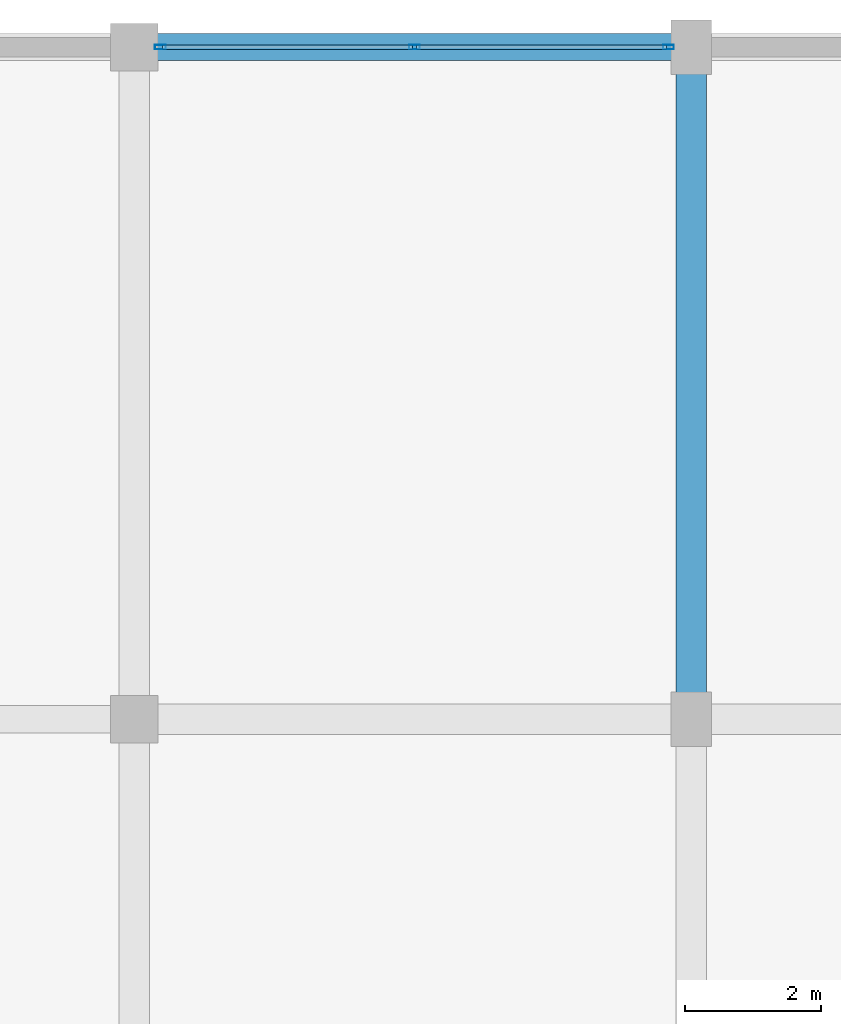
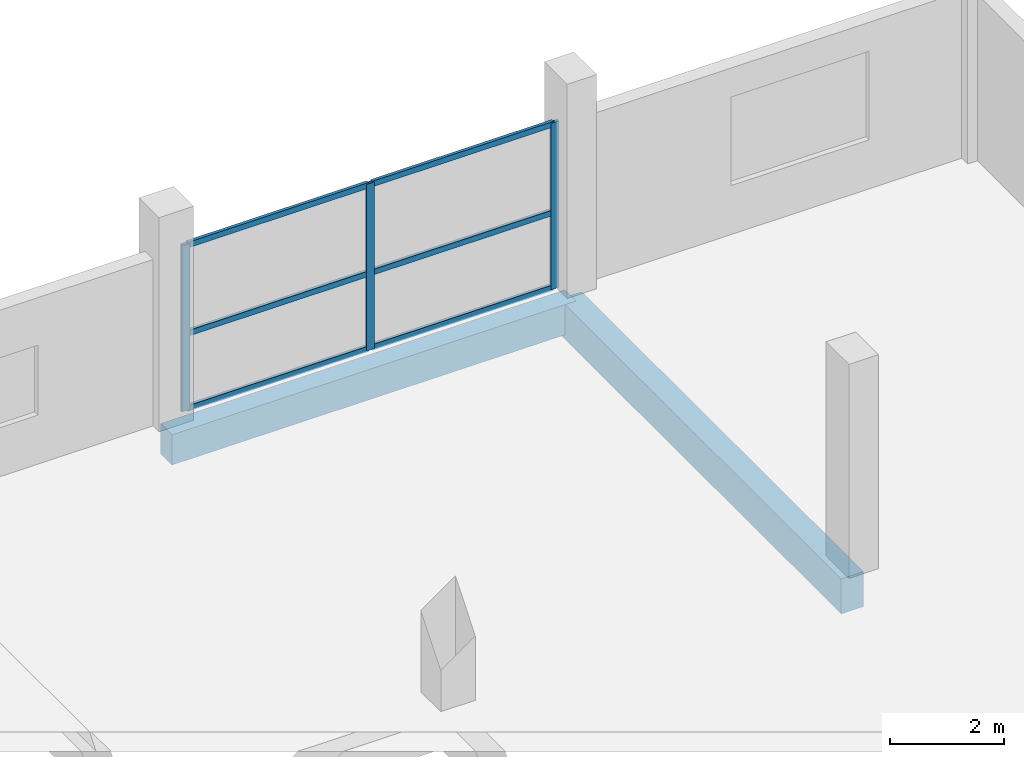
# One storey, part 35 of 58: 9 members, 2 beams, 1 element without a shape of its own.
"""IFC4 building model written with IfcOpenShell, lengths in metres."""

from ifc_helpers import new_model, si_unit, direction, frame, origin, origin_2d, place, context, subcontext, project, spatial, rectangle, hollow_rectangle, extrude, material, layer, layer_set, material_profile, profile_set, type_object, element, aggregate, save


model = new_model("IFC4")

# Units and contexts
model_context = context("Model", 3, precision=1e-05, world=origin(), true_north=direction((0.0, 1.0)))
body_context = subcontext(model_context, "Body", "Model", "MODEL_VIEW")
ifc_project = project(units=[si_unit("LENGTHUNIT", "METRE"), si_unit("AREAUNIT", "SQUARE_METRE"), si_unit("VOLUMEUNIT", "CUBIC_METRE"), si_unit("PLANEANGLEUNIT", "RADIAN"), si_unit("MASSUNIT", "GRAM", prefix="KILO")], contexts=[model_context])

# Site, building, storey
site_placement = place(None, origin())
site = spatial("IfcSite", under=ifc_project, at=site_placement, CompositionType="ELEMENT")
building_placement = place(site_placement, origin())
building = spatial("IfcBuilding", under=site, at=building_placement, Name="Sillaruma Civic Art Gallery", CompositionType="ELEMENT")
storey_placement = place(building_placement, frame((0.0, 0.0, 28.56005859375)))
storey = spatial("IfcBuildingStorey", under=building, at=storey_placement, Name="L05", CompositionType="ELEMENT", Elevation=28.56005859375)

# Beams
ifc_material_1 = material(Name="Concrete H40 (40 MPa)", Category="concrete")
ifc_material_profile_1 = material_profile(ifc_material_1, rectangle(XDim=0.449951171875, YDim=0.75, at=origin_2d()), Name="RCB450x750")
ifc_profile_set_1 = profile_set([ifc_material_profile_1], Name="Concrete H40 (40 MPa)")
beam_type_1 = type_object("IfcBeamType", Name="BM-BEAM-RCB450x750", PredefinedType="BEAM", material=ifc_profile_set_1)
beam_1_placement = place(storey_placement, frame((106.199951171875, 89.10009765625, -0.655029296875), z_axis=(0.0, 1.0, 0.0), x_axis=(-1.0, 0.0, 0.0)))
element("IfcBeam", 1, at=beam_1_placement, inside=storey, type_object=beam_type_1, Name="Beam BM-03 (L04:M:10-11)", PredefinedType="BEAM", context=body_context, shape_type="SweptSolid", body=[
    extrude(rectangle(XDim=0.449951171875, YDim=0.75, at=origin_2d()), origin(), (0.0, 0.0, 1.0), 9.89990234375),
])
ifc_material_2 = material(Name="Concrete H35 (35 MPa)", Category="concrete")
ifc_material_profile_2 = material_profile(ifc_material_2, rectangle(XDim=0.39990234375, YDim=0.64990234375, at=origin_2d()), Name="RCB400x650")
ifc_profile_set_2 = profile_set([ifc_material_profile_2], Name="Concrete H35 (35 MPa)")
beam_type_2 = type_object("IfcBeamType", Name="BM-SPANDREL-RCB400x650", PredefinedType="SPANDREL", material=ifc_profile_set_2)
beam_2_placement = place(storey_placement, frame((98.0, 99.0, -0.60498046875), z_axis=(1.0, 0.0, 0.0), x_axis=(0.0, 1.0, 0.0)))
element("IfcBeam", 2, at=beam_2_placement, inside=storey, type_object=beam_type_2, Name="Beam BS-02 (L04:11:L-M)", PredefinedType="SPANDREL", context=body_context, shape_type="SweptSolid", body=[
    extrude(rectangle(XDim=0.39990234375, YDim=0.64990234375, at=origin_2d()), origin(), (0.0, 0.0, 1.0), 8.199951171875),
])

# Curtain wall, members
ifc_material_3 = material(Name="Thermally Broken Extruded Aluminium 6063-T6", Category="aluminium")
ifc_layer = layer(ifc_material_3, 0.159912109375, Name="Thermally Broken Extruded Aluminium 6063-T6")
ifc_layer_set = layer_set([ifc_layer], Name="Thermally Broken Extruded Aluminium 6063-T6")
curtain_wall_type = type_object("IfcCurtainWallType", Name="CW-UNI-38", PredefinedType="NOTDEFINED", material=ifc_layer_set)
curtain_wall_placement = place(storey_placement, origin())
curtain_wall = element("IfcCurtainWall", 3, at=curtain_wall_placement, inside=storey, type_object=curtain_wall_type, Name="Unitised Curtain Wall CW-38 (CW-L05-N-6)", PredefinedType="NOTDEFINED")
ifc_material_profile_3 = material_profile(ifc_material_3, hollow_rectangle(XDim=0.06494140625, YDim=0.159912109375, WallThickness=0.00390625, at=origin_2d()), Name="CWM65x160")
ifc_profile_set_3 = profile_set([ifc_material_profile_3], Name="Thermally Broken Extruded Aluminium 6063-T6")
member_type_1 = type_object("IfcMemberType", Name="MEM-MUL-CWM65x160", PredefinedType="MULLION", material=ifc_profile_set_3)
member_1_placement = place(storey_placement, frame((98.382568359375, 99.0, 0.0), z_axis=(0.0, 0.0, 1.0), x_axis=(0.0, 1.0, 0.0)))
member_1 = element("IfcMember", 4, at=member_1_placement, type_object=member_type_1, Name="CW-38 mullion 1", PredefinedType="MULLION", context=body_context, shape_type="SweptSolid", body=[
    extrude(hollow_rectangle(XDim=0.06494140625, YDim=0.159912109375, WallThickness=0.00390625, at=origin_2d()), origin(), (0.0, 0.0, 1.0), 3.56982421875),
])
member_2_placement = place(storey_placement, frame((102.125, 99.0, 0.0), z_axis=(0.0, 0.0, 1.0), x_axis=(0.0, 1.0, 0.0)))
member_2 = element("IfcMember", 5, at=member_2_placement, type_object=member_type_1, Name="CW-38 mullion 2", PredefinedType="MULLION", context=body_context, shape_type="SweptSolid", body=[
    extrude(hollow_rectangle(XDim=0.06494140625, YDim=0.159912109375, WallThickness=0.00390625, at=origin_2d()), origin(), (0.0, 0.0, 1.0), 3.56982421875),
])
member_3_placement = place(storey_placement, frame((105.867431640625, 99.0, 0.0), z_axis=(0.0, 0.0, 1.0), x_axis=(0.0, 1.0, 0.0)))
member_3 = element("IfcMember", 6, at=member_3_placement, type_object=member_type_1, Name="CW-38 mullion 3", PredefinedType="MULLION", context=body_context, shape_type="SweptSolid", body=[
    extrude(hollow_rectangle(XDim=0.06494140625, YDim=0.159912109375, WallThickness=0.00390625, at=origin_2d()), origin(), (0.0, 0.0, 1.0), 3.56982421875),
])
ifc_material_profile_4 = material_profile(ifc_material_3, hollow_rectangle(XDim=0.06494140625, YDim=0.1201171875, WallThickness=0.00341796875, at=origin_2d()), Name="CWT65x120")
ifc_profile_set_4 = profile_set([ifc_material_profile_4], Name="Thermally Broken Extruded Aluminium 6063-T6")
member_type_2 = type_object("IfcMemberType", Name="MEM-TRN-CWT65x120", PredefinedType="USERDEFINED", material=ifc_profile_set_4)
member_4_placement = place(storey_placement, frame((98.4150390625, 99.0, 0.032470703125), z_axis=(1.0, 0.0, 0.0), x_axis=(0.0, 1.0, 0.0)))
member_4 = element("IfcMember", 7, at=member_4_placement, type_object=member_type_2, Name="CW-38 transom 1.1", ObjectType="TRANSOM", PredefinedType="USERDEFINED", context=body_context, shape_type="SweptSolid", body=[
    extrude(hollow_rectangle(XDim=0.06494140625, YDim=0.1201171875, WallThickness=0.00341796875, at=origin_2d()), origin(), (0.0, 0.0, 1.0), 3.677490234375),
])
member_5_placement = place(storey_placement, frame((98.4150390625, 99.0, 1.64208984375), z_axis=(1.0, 0.0, 0.0), x_axis=(0.0, 1.0, 0.0)))
member_5 = element("IfcMember", 8, at=member_5_placement, type_object=member_type_2, Name="CW-38 transom 1.2", ObjectType="TRANSOM", PredefinedType="USERDEFINED", context=body_context, shape_type="SweptSolid", body=[
    extrude(hollow_rectangle(XDim=0.06494140625, YDim=0.1201171875, WallThickness=0.00341796875, at=origin_2d()), origin(), (0.0, 0.0, 1.0), 3.677490234375),
])
member_6_placement = place(storey_placement, frame((98.4150390625, 99.0, 3.537353515625), z_axis=(1.0, 0.0, 0.0), x_axis=(0.0, 1.0, 0.0)))
member_6 = element("IfcMember", 9, at=member_6_placement, type_object=member_type_2, Name="CW-38 transom 1.3", ObjectType="TRANSOM", PredefinedType="USERDEFINED", context=body_context, shape_type="SweptSolid", body=[
    extrude(hollow_rectangle(XDim=0.06494140625, YDim=0.1201171875, WallThickness=0.00341796875, at=origin_2d()), origin(), (0.0, 0.0, 1.0), 3.677490234375),
])
member_7_placement = place(storey_placement, frame((102.157470703125, 99.0, 0.032470703125), z_axis=(1.0, 0.0, 0.0), x_axis=(0.0, 1.0, 0.0)))
member_7 = element("IfcMember", 10, at=member_7_placement, type_object=member_type_2, Name="CW-38 transom 2.1", ObjectType="TRANSOM", PredefinedType="USERDEFINED", context=body_context, shape_type="SweptSolid", body=[
    extrude(hollow_rectangle(XDim=0.06494140625, YDim=0.1201171875, WallThickness=0.00341796875, at=origin_2d()), origin(), (0.0, 0.0, 1.0), 3.677490234375),
])
member_8_placement = place(storey_placement, frame((102.157470703125, 99.0, 1.64208984375), z_axis=(1.0, 0.0, 0.0), x_axis=(0.0, 1.0, 0.0)))
member_8 = element("IfcMember", 11, at=member_8_placement, type_object=member_type_2, Name="CW-38 transom 2.2", ObjectType="TRANSOM", PredefinedType="USERDEFINED", context=body_context, shape_type="SweptSolid", body=[
    extrude(hollow_rectangle(XDim=0.06494140625, YDim=0.1201171875, WallThickness=0.00341796875, at=origin_2d()), origin(), (0.0, 0.0, 1.0), 3.677490234375),
])
member_9_placement = place(storey_placement, frame((102.157470703125, 99.0, 3.537353515625), z_axis=(1.0, 0.0, 0.0), x_axis=(0.0, 1.0, 0.0)))
member_9 = element("IfcMember", 12, at=member_9_placement, type_object=member_type_2, Name="CW-38 transom 2.3", ObjectType="TRANSOM", PredefinedType="USERDEFINED", context=body_context, shape_type="SweptSolid", body=[
    extrude(hollow_rectangle(XDim=0.06494140625, YDim=0.1201171875, WallThickness=0.00341796875, at=origin_2d()), origin(), (0.0, 0.0, 1.0), 3.677490234375),
])
aggregate(curtain_wall, [member_1, member_2, member_3, member_4, member_5, member_6, member_7, member_8, member_9])

save(model, "model.ifc")
